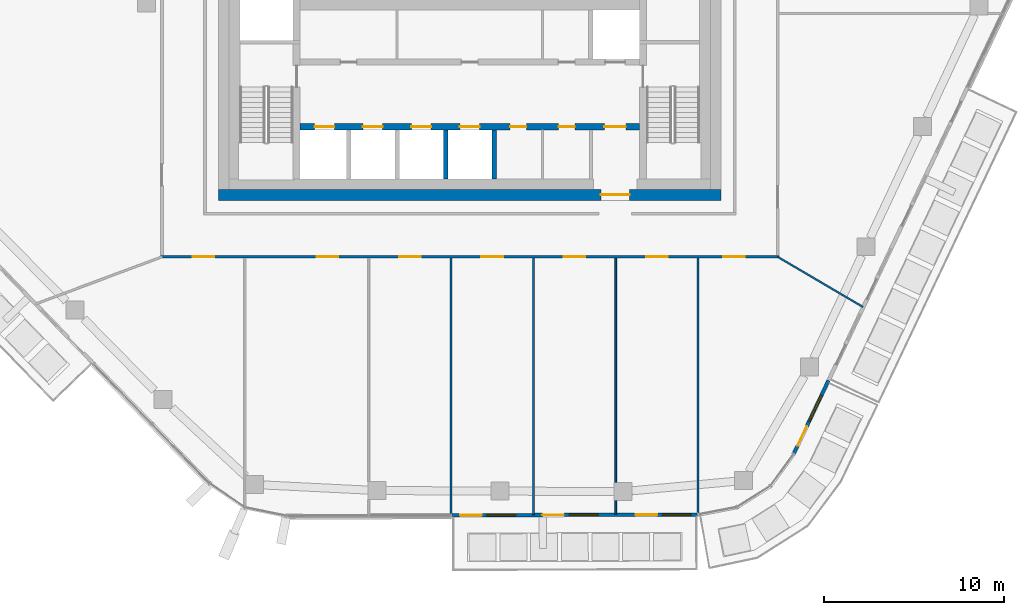
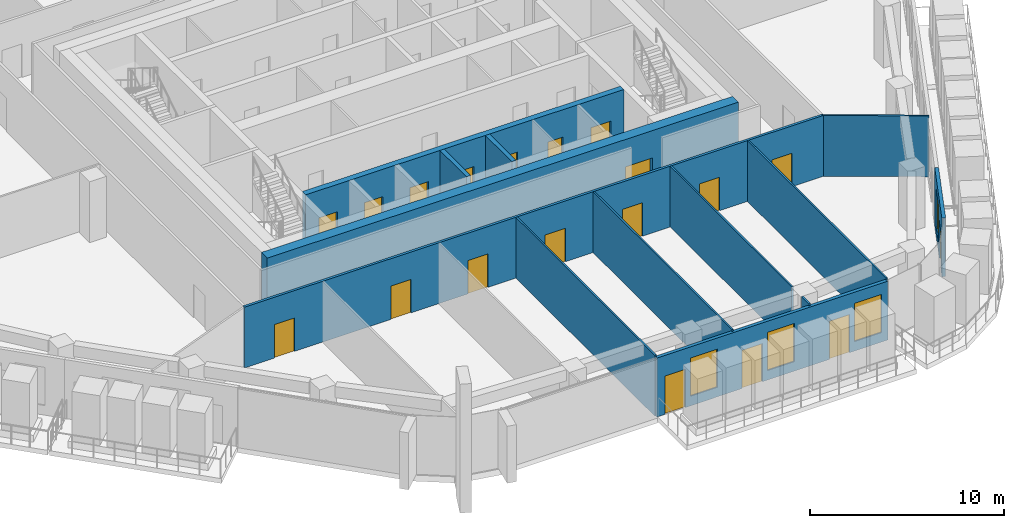
# One storey, part 13 of 24: 19 doors, 13 walls, 4 windows, 23 openings.
"""IFC4 building model written with IfcOpenShell, lengths in metres."""

from ifc_helpers import new_model, si_unit, direction, frame, frame_2d, origin, place, context, subcontext, project, spatial, rectangle, extrude, material, layer, layer_set, type_object, element, fill, save


model = new_model("IFC4")

# Units and contexts
model_context = context("Model", 3, precision=1e-05, world=origin(), true_north=direction((0.0, 1.0)))
body_context = subcontext(model_context, "Body", "Model", "MODEL_VIEW")
ifc_project = project(units=[si_unit("LENGTHUNIT", "METRE"), si_unit("AREAUNIT", "SQUARE_METRE"), si_unit("VOLUMEUNIT", "CUBIC_METRE"), si_unit("PLANEANGLEUNIT", "RADIAN"), si_unit("MASSUNIT", "GRAM", prefix="KILO")], contexts=[model_context])

# Site, building, storey
site_placement = place(None, origin())
site = spatial("IfcSite", under=ifc_project, at=site_placement, CompositionType="ELEMENT")
building_placement = place(site_placement, origin())
building = spatial("IfcBuilding", under=site, at=building_placement, Name="Dongbaek Canopy Tower", CompositionType="ELEMENT")
storey_placement = place(building_placement, frame((0.0, 0.0, 344.60009765625)))
storey = spatial("IfcBuildingStorey", under=building, at=storey_placement, Name="L74", CompositionType="ELEMENT", Elevation=344.60009765625)

# Wall, openings, doors
ifc_material_1 = material(Name="Concrete C60/75", Category="concrete")
ifc_layer_1 = layer(ifc_material_1, 0.35009765625)
ifc_layer_set_1 = layer_set([ifc_layer_1], Name="Core lobby wall 350 Concrete C60/75")
wall_type_1 = type_object("IfcWallType", Name="Core lobby wall 350 Concrete C60/75", PredefinedType="SHEAR", material=ifc_layer_set_1)
wall_1_placement = place(storey_placement, frame((9.449951171875, -6.89990234375, 0.0), z_axis=(0.0, 0.0, 1.0), x_axis=(-1.0, 0.0, 0.0)))
wall_1 = element("IfcWall", 1, at=wall_1_placement, inside=storey, type_object=wall_type_1, Name="Core wall", PredefinedType="SHEAR", context=body_context, shape_type="SweptSolid", body=[
    extrude(rectangle(XDim=18.89990234375, YDim=0.35009765625, at=frame_2d((9.449951171875, 0.0))), origin(), (0.0, 0.0, 1.0), 3.81982421875),
])
opening_1_placement = place(wall_1_placement, frame((17.0, 0.0, 0.0)))
opening_1 = element("IfcOpeningElement", 2, at=opening_1_placement, cuts=wall_1, Name="Opening L74-D028", PredefinedType="OPENING", context=body_context, shape_type="SweptSolid", body=[
    extrude(rectangle(XDim=1.10009765625, YDim=2.10009765625, at=frame_2d((0.550048828125, 1.050048828125))), frame((0.0, 0.18505859375, 0.0), z_axis=(0.0, -1.0, 0.0), x_axis=(1.0, 0.0, 0.0)), (0.0, 0.0, 1.0), 0.3701171875),
])
opening_2_placement = place(wall_1_placement, frame((14.300048828125, 0.0, 0.0)))
opening_2 = element("IfcOpeningElement", 3, at=opening_2_placement, cuts=wall_1, Name="Opening L74-D029", PredefinedType="OPENING", context=body_context, shape_type="SweptSolid", body=[
    extrude(rectangle(XDim=1.10009765625, YDim=2.10009765625, at=frame_2d((0.550048828125, 1.050048828125))), frame((0.0, 0.18505859375, 0.0), z_axis=(0.0, -1.0, 0.0), x_axis=(1.0, 0.0, 0.0)), (0.0, 0.0, 1.0), 0.3701171875),
])
opening_3_placement = place(wall_1_placement, frame((11.60009765625, 0.0, 0.0)))
opening_3 = element("IfcOpeningElement", 4, at=opening_3_placement, cuts=wall_1, Name="Opening L74-D030", PredefinedType="OPENING", context=body_context, shape_type="SweptSolid", body=[
    extrude(rectangle(XDim=1.10009765625, YDim=2.10009765625, at=frame_2d((0.550048828125, 1.050048828125))), frame((0.0, 0.18505859375, 0.0), z_axis=(0.0, -1.0, 0.0), x_axis=(1.0, 0.0, 0.0)), (0.0, 0.0, 1.0), 0.3701171875),
])
opening_4_placement = place(wall_1_placement, frame((8.89990234375, 0.0, 0.0)))
opening_4 = element("IfcOpeningElement", 5, at=opening_4_placement, cuts=wall_1, Name="Opening L74-D031", PredefinedType="OPENING", context=body_context, shape_type="SweptSolid", body=[
    extrude(rectangle(XDim=1.10009765625, YDim=2.10009765625, at=frame_2d((0.550048828125, 1.050048828125))), frame((0.0, 0.18505859375, 0.0), z_axis=(0.0, -1.0, 0.0), x_axis=(1.0, 0.0, 0.0)), (0.0, 0.0, 1.0), 0.3701171875),
])
opening_5_placement = place(wall_1_placement, frame((0.75, 0.0, 0.0)))
opening_5 = element("IfcOpeningElement", 6, at=opening_5_placement, cuts=wall_1, Name="Opening L74-D033", PredefinedType="OPENING", context=body_context, shape_type="SweptSolid", body=[
    extrude(rectangle(XDim=1.199951171875, YDim=2.10009765625, at=frame_2d((0.60009765625, 1.050048828125))), frame((0.0, 0.18505859375, 0.0), z_axis=(0.0, -1.0, 0.0), x_axis=(1.0, 0.0, 0.0)), (0.0, 0.0, 1.0), 0.3701171875),
])
opening_6_placement = place(wall_1_placement, frame((6.300048828125, 0.0, 0.0)))
opening_6 = element("IfcOpeningElement", 7, at=opening_6_placement, cuts=wall_1, Name="Opening L74-D042", PredefinedType="OPENING", context=body_context, shape_type="SweptSolid", body=[
    extrude(rectangle(XDim=0.89990234375, YDim=2.10009765625, at=frame_2d((0.449951171875, 1.050048828125))), frame((0.0, 0.18505859375, 0.0), z_axis=(0.0, -1.0, 0.0), x_axis=(1.0, 0.0, 0.0)), (0.0, 0.0, 1.0), 0.3701171875),
])
opening_7_placement = place(wall_1_placement, frame((3.60009765625, 0.0, 0.0)))
opening_7 = element("IfcOpeningElement", 8, at=opening_7_placement, cuts=wall_1, Name="Opening L74-D043", PredefinedType="OPENING", context=body_context, shape_type="SweptSolid", body=[
    extrude(rectangle(XDim=0.89990234375, YDim=2.10009765625, at=frame_2d((0.449951171875, 1.050048828125))), frame((0.0, 0.18505859375, 0.0), z_axis=(0.0, -1.0, 0.0), x_axis=(1.0, 0.0, 0.0)), (0.0, 0.0, 1.0), 0.3701171875),
])
ifc_material_2 = material(Name="Steel", Category="steel")
door_type_1 = type_object("IfcDoorType", Name="Core room door 900 x 2100", OperationType="SINGLE_SWING_LEFT", PredefinedType="DOOR", material=ifc_material_2)
door_1_placement = place(opening_6_placement, origin())
door_1 = element("IfcDoor", 9, at=door_1_placement, inside=storey, type_object=door_type_1, Name="Door L74-D042", OperationType="SINGLE_SWING_RIGHT", OverallHeight=2.10009765625, OverallWidth=0.89990234375, PredefinedType="DOOR", context=body_context, shape_type="SweptSolid", body=[
    extrude(rectangle(XDim=0.89990234375, YDim=2.10009765625, at=frame_2d((0.449951171875, 1.050048828125))), frame((0.0, 0.02490234375, 0.0), z_axis=(0.0, -1.0, 0.0), x_axis=(1.0, 0.0, 0.0)), (0.0, 0.0, 1.0), 0.050048828125),
])
fill(opening_6, door_1)
door_2_placement = place(opening_7_placement, origin())
door_2 = element("IfcDoor", 10, at=door_2_placement, inside=storey, type_object=door_type_1, Name="Door L74-D043", OperationType="SINGLE_SWING_LEFT", OverallHeight=2.10009765625, OverallWidth=0.89990234375, PredefinedType="DOOR", context=body_context, shape_type="SweptSolid", body=[
    extrude(rectangle(XDim=0.89990234375, YDim=2.10009765625, at=frame_2d((0.449951171875, 1.050048828125))), frame((0.0, 0.02490234375, 0.0), z_axis=(0.0, -1.0, 0.0), x_axis=(1.0, 0.0, 0.0)), (0.0, 0.0, 1.0), 0.050048828125),
])
fill(opening_7, door_2)
ifc_material_3 = material(Name="Steel", Category="steel")
door_type_2 = type_object("IfcDoorType", Name="Fire lobby door 1200 x 2100", OperationType="SINGLE_SWING_LEFT", PredefinedType="DOOR", material=ifc_material_3)
door_3_placement = place(opening_5_placement, origin())
door_3 = element("IfcDoor", 11, at=door_3_placement, inside=storey, type_object=door_type_2, Name="Door L74-D033", OperationType="SINGLE_SWING_LEFT", OverallHeight=2.10009765625, OverallWidth=1.199951171875, PredefinedType="DOOR", context=body_context, shape_type="SweptSolid", body=[
    extrude(rectangle(XDim=1.199951171875, YDim=2.10009765625, at=frame_2d((0.60009765625, 1.050048828125))), frame((0.0, 0.02490234375, 0.0), z_axis=(0.0, -1.0, 0.0), x_axis=(1.0, 0.0, 0.0)), (0.0, 0.0, 1.0), 0.050048828125),
])
fill(opening_5, door_3)
ifc_material_4 = material(Name="Stainless steel", Category="steel")
door_type_3 = type_object("IfcDoorType", Name="Lift landing door 1100 x 2100", OperationType="DOUBLE_DOOR_SLIDING", PredefinedType="DOOR", material=ifc_material_4)
door_4_placement = place(opening_1_placement, origin())
door_4 = element("IfcDoor", 12, at=door_4_placement, inside=storey, type_object=door_type_3, Name="Landing door HR1", OperationType="DOUBLE_DOOR_SLIDING", OverallHeight=2.10009765625, OverallWidth=1.10009765625, PredefinedType="DOOR", context=body_context, shape_type="SweptSolid", body=[
    extrude(rectangle(XDim=1.10009765625, YDim=2.10009765625, at=frame_2d((0.550048828125, 1.050048828125))), frame((0.0, 0.02490234375, 0.0), z_axis=(0.0, -1.0, 0.0), x_axis=(1.0, 0.0, 0.0)), (0.0, 0.0, 1.0), 0.050048828125),
])
fill(opening_1, door_4)
door_5_placement = place(opening_2_placement, origin())
door_5 = element("IfcDoor", 13, at=door_5_placement, inside=storey, type_object=door_type_3, Name="Landing door HR2", OperationType="DOUBLE_DOOR_SLIDING", OverallHeight=2.10009765625, OverallWidth=1.10009765625, PredefinedType="DOOR", context=body_context, shape_type="SweptSolid", body=[
    extrude(rectangle(XDim=1.10009765625, YDim=2.10009765625, at=frame_2d((0.550048828125, 1.050048828125))), frame((0.0, 0.02490234375, 0.0), z_axis=(0.0, -1.0, 0.0), x_axis=(1.0, 0.0, 0.0)), (0.0, 0.0, 1.0), 0.050048828125),
])
fill(opening_2, door_5)
door_6_placement = place(opening_3_placement, origin())
door_6 = element("IfcDoor", 14, at=door_6_placement, inside=storey, type_object=door_type_3, Name="Landing door HR3", OperationType="DOUBLE_DOOR_SLIDING", OverallHeight=2.10009765625, OverallWidth=1.10009765625, PredefinedType="DOOR", context=body_context, shape_type="SweptSolid", body=[
    extrude(rectangle(XDim=1.10009765625, YDim=2.10009765625, at=frame_2d((0.550048828125, 1.050048828125))), frame((0.0, 0.02490234375, 0.0), z_axis=(0.0, -1.0, 0.0), x_axis=(1.0, 0.0, 0.0)), (0.0, 0.0, 1.0), 0.050048828125),
])
fill(opening_3, door_6)
door_7_placement = place(opening_4_placement, origin())
door_7 = element("IfcDoor", 15, at=door_7_placement, inside=storey, type_object=door_type_3, Name="Landing door HR4", OperationType="DOUBLE_DOOR_SLIDING", OverallHeight=2.10009765625, OverallWidth=1.10009765625, PredefinedType="DOOR", context=body_context, shape_type="SweptSolid", body=[
    extrude(rectangle(XDim=1.10009765625, YDim=2.10009765625, at=frame_2d((0.550048828125, 1.050048828125))), frame((0.0, 0.02490234375, 0.0), z_axis=(0.0, -1.0, 0.0), x_axis=(1.0, 0.0, 0.0)), (0.0, 0.0, 1.0), 0.050048828125),
])
fill(opening_4, door_7)

# Wall, opening, door
ifc_material_5 = material(Name="Concrete C80/95", Category="concrete")
ifc_layer_2 = layer(ifc_material_5, 0.60009765625)
ifc_layer_set_2 = layer_set([ifc_layer_2], Name="Core outer wall 600 Concrete C80/95")
wall_type_2 = type_object("IfcWallType", Name="Core outer wall 600 Concrete C80/95", PredefinedType="SHEAR", material=ifc_layer_set_2)
wall_2_placement = place(storey_placement, frame((14.0, -10.699951171875, 0.0), z_axis=(0.0, 0.0, 1.0), x_axis=(-1.0, 0.0, 0.0)))
wall_2 = element("IfcWall", 16, at=wall_2_placement, inside=storey, type_object=wall_type_2, Name="Core wall", PredefinedType="SHEAR", context=body_context, shape_type="SweptSolid", body=[
    extrude(rectangle(XDim=28.0, YDim=0.60009765625, at=frame_2d((14.0, 0.0))), origin(), (0.0, 0.0, 1.0), 3.81982421875),
])
opening_8_placement = place(wall_2_placement, frame((5.10009765625, 0.0, 0.0)))
opening_8 = element("IfcOpeningElement", 17, at=opening_8_placement, cuts=wall_2, Name="Opening L74-D032", PredefinedType="OPENING", context=body_context, shape_type="SweptSolid", body=[
    extrude(rectangle(XDim=1.60009765625, YDim=2.10009765625, at=frame_2d((0.800048828125, 1.050048828125))), frame((0.0, 0.31005859375, 0.0), z_axis=(0.0, -1.0, 0.0), x_axis=(1.0, 0.0, 0.0)), (0.0, 0.0, 1.0), 0.6201171875),
])
ifc_material_6 = material(Name="Steel", Category="steel")
door_type_4 = type_object("IfcDoorType", Name="Core exit door 1600 x 2100", OperationType="DOUBLE_DOOR_SINGLE_SWING", PredefinedType="DOOR", material=ifc_material_6)
door_8_placement = place(opening_8_placement, origin())
door_8 = element("IfcDoor", 18, at=door_8_placement, inside=storey, type_object=door_type_4, Name="Core exit door", OperationType="DOUBLE_DOOR_SINGLE_SWING", OverallHeight=2.10009765625, OverallWidth=1.60009765625, PredefinedType="DOOR", context=body_context, shape_type="SweptSolid", body=[
    extrude(rectangle(XDim=1.60009765625, YDim=2.10009765625, at=frame_2d((0.800048828125, 1.050048828125))), frame((0.0, 0.02490234375, 0.0), z_axis=(0.0, -1.0, 0.0), x_axis=(1.0, 0.0, 0.0)), (0.0, 0.0, 1.0), 0.050048828125),
])
fill(opening_8, door_8)

# Wall, openings, doors
ifc_material_7 = material(Name="Gypsum board partition, steel stud, 2 x 15 mm fire board", Category="steel")
ifc_layer_3 = layer(ifc_material_7, 0.14990234375)
ifc_layer_set_3 = layer_set([ifc_layer_3], Name="Fire-rated partition 150 gypsum board")
wall_type_3 = type_object("IfcWallType", Name="Fire-rated partition 150 gypsum board", PredefinedType="PARTITIONING", material=ifc_layer_set_3)
wall_3_placement = place(storey_placement, frame((17.22509765625, -14.14990234375, 0.0), z_axis=(0.0, 0.0, 1.0), x_axis=(-1.0, 0.0, 0.0)))
wall_3 = element("IfcWall", 19, at=wall_3_placement, inside=storey, type_object=wall_type_3, Name="Corridor partition", PredefinedType="PARTITIONING", context=body_context, shape_type="SweptSolid", body=[
    extrude(rectangle(XDim=34.4501953125, YDim=0.14990234375, at=frame_2d((17.22509765625, 0.0))), origin(), (0.0, 0.0, 1.0), 3.81982421875),
])
opening_9_placement = place(wall_3_placement, frame((31.46435546875, 0.0, 0.0)))
opening_9 = element("IfcOpeningElement", 20, at=opening_9_placement, cuts=wall_3, Name="Opening L74-D002", PredefinedType="OPENING", context=body_context, shape_type="SweptSolid", body=[
    extrude(rectangle(XDim=1.199951171875, YDim=2.10009765625, at=frame_2d((0.60009765625, 1.050048828125))), frame((0.0, 0.0849609375, 0.0), z_axis=(0.0, -1.0, 0.0), x_axis=(1.0, 0.0, 0.0)), (0.0, 0.0, 1.0), 0.169921875),
])
opening_10_placement = place(wall_3_placement, frame((24.54638671875, 0.0, 0.0)))
opening_10 = element("IfcOpeningElement", 21, at=opening_10_placement, cuts=wall_3, Name="Opening L74-D003", PredefinedType="OPENING", context=body_context, shape_type="SweptSolid", body=[
    extrude(rectangle(XDim=1.199951171875, YDim=2.10009765625, at=frame_2d((0.60009765625, 1.050048828125))), frame((0.0, 0.0849609375, 0.0), z_axis=(0.0, -1.0, 0.0), x_axis=(1.0, 0.0, 0.0)), (0.0, 0.0, 1.0), 0.169921875),
])
opening_11_placement = place(wall_3_placement, frame((19.962158203125, 0.0, 0.0)))
opening_11 = element("IfcOpeningElement", 22, at=opening_11_placement, cuts=wall_3, Name="Opening L74-D004", PredefinedType="OPENING", context=body_context, shape_type="SweptSolid", body=[
    extrude(rectangle(XDim=1.199951171875, YDim=2.10009765625, at=frame_2d((0.60009765625, 1.050048828125))), frame((0.0, 0.0849609375, 0.0), z_axis=(0.0, -1.0, 0.0), x_axis=(1.0, 0.0, 0.0)), (0.0, 0.0, 1.0), 0.169921875),
])
opening_12_placement = place(wall_3_placement, frame((15.37451171875, 0.0, 0.0)))
opening_12 = element("IfcOpeningElement", 23, at=opening_12_placement, cuts=wall_3, Name="Opening L74-D005", PredefinedType="OPENING", context=body_context, shape_type="SweptSolid", body=[
    extrude(rectangle(XDim=1.199951171875, YDim=2.10009765625, at=frame_2d((0.60009765625, 1.050048828125))), frame((0.0, 0.0849609375, 0.0), z_axis=(0.0, -1.0, 0.0), x_axis=(1.0, 0.0, 0.0)), (0.0, 0.0, 1.0), 0.169921875),
])
opening_13_placement = place(wall_3_placement, frame((10.788330078125, 0.0, 0.0)))
opening_13 = element("IfcOpeningElement", 24, at=opening_13_placement, cuts=wall_3, Name="Opening L74-D006", PredefinedType="OPENING", context=body_context, shape_type="SweptSolid", body=[
    extrude(rectangle(XDim=1.199951171875, YDim=2.10009765625, at=frame_2d((0.60009765625, 1.050048828125))), frame((0.0, 0.0849609375, 0.0), z_axis=(0.0, -1.0, 0.0), x_axis=(1.0, 0.0, 0.0)), (0.0, 0.0, 1.0), 0.169921875),
])
opening_14_placement = place(wall_3_placement, frame((6.202392578125, 0.0, 0.0)))
opening_14 = element("IfcOpeningElement", 25, at=opening_14_placement, cuts=wall_3, Name="Opening L74-D007", PredefinedType="OPENING", context=body_context, shape_type="SweptSolid", body=[
    extrude(rectangle(XDim=1.199951171875, YDim=2.10009765625, at=frame_2d((0.60009765625, 1.050048828125))), frame((0.0, 0.0849609375, 0.0), z_axis=(0.0, -1.0, 0.0), x_axis=(1.0, 0.0, 0.0)), (0.0, 0.0, 1.0), 0.169921875),
])
opening_15_placement = place(wall_3_placement, frame((1.89697265625, 0.0, 0.0)))
opening_15 = element("IfcOpeningElement", 26, at=opening_15_placement, cuts=wall_3, Name="Opening L74-D008", PredefinedType="OPENING", context=body_context, shape_type="SweptSolid", body=[
    extrude(rectangle(XDim=1.199951171875, YDim=2.10009765625, at=frame_2d((0.60009765625, 1.050048828125))), frame((0.0, 0.0849609375, 0.0), z_axis=(0.0, -1.0, 0.0), x_axis=(1.0, 0.0, 0.0)), (0.0, 0.0, 1.0), 0.169921875),
])
ifc_material_8 = material(Name="Timber veneered door leaf", Category="wood")
door_type_5 = type_object("IfcDoorType", Name="Room door 1200 x 2100", OperationType="SINGLE_SWING_LEFT", PredefinedType="DOOR", material=ifc_material_8)
door_9_placement = place(opening_9_placement, origin())
door_9 = element("IfcDoor", 27, at=door_9_placement, inside=storey, type_object=door_type_5, Name="Door L74-D002", OperationType="SINGLE_SWING_LEFT", OverallHeight=2.10009765625, OverallWidth=1.199951171875, PredefinedType="DOOR", context=body_context, shape_type="SweptSolid", body=[
    extrude(rectangle(XDim=1.199951171875, YDim=2.10009765625, at=frame_2d((0.60009765625, 1.050048828125))), frame((0.0, 0.02490234375, 0.0), z_axis=(0.0, -1.0, 0.0), x_axis=(1.0, 0.0, 0.0)), (0.0, 0.0, 1.0), 0.050048828125),
])
fill(opening_9, door_9)
door_10_placement = place(opening_10_placement, origin())
door_10 = element("IfcDoor", 28, at=door_10_placement, inside=storey, type_object=door_type_5, Name="Door L74-D003", OperationType="SINGLE_SWING_RIGHT", OverallHeight=2.10009765625, OverallWidth=1.199951171875, PredefinedType="DOOR", context=body_context, shape_type="SweptSolid", body=[
    extrude(rectangle(XDim=1.199951171875, YDim=2.10009765625, at=frame_2d((0.60009765625, 1.050048828125))), frame((0.0, 0.02490234375, 0.0), z_axis=(0.0, -1.0, 0.0), x_axis=(1.0, 0.0, 0.0)), (0.0, 0.0, 1.0), 0.050048828125),
])
fill(opening_10, door_10)
door_11_placement = place(opening_11_placement, origin())
door_11 = element("IfcDoor", 29, at=door_11_placement, inside=storey, type_object=door_type_5, Name="Door L74-D004", OperationType="SINGLE_SWING_LEFT", OverallHeight=2.10009765625, OverallWidth=1.199951171875, PredefinedType="DOOR", context=body_context, shape_type="SweptSolid", body=[
    extrude(rectangle(XDim=1.199951171875, YDim=2.10009765625, at=frame_2d((0.60009765625, 1.050048828125))), frame((0.0, 0.02490234375, 0.0), z_axis=(0.0, -1.0, 0.0), x_axis=(1.0, 0.0, 0.0)), (0.0, 0.0, 1.0), 0.050048828125),
])
fill(opening_11, door_11)
door_12_placement = place(opening_12_placement, origin())
door_12 = element("IfcDoor", 30, at=door_12_placement, inside=storey, type_object=door_type_5, Name="Door L74-D005", OperationType="SINGLE_SWING_RIGHT", OverallHeight=2.10009765625, OverallWidth=1.199951171875, PredefinedType="DOOR", context=body_context, shape_type="SweptSolid", body=[
    extrude(rectangle(XDim=1.199951171875, YDim=2.10009765625, at=frame_2d((0.60009765625, 1.050048828125))), frame((0.0, 0.02490234375, 0.0), z_axis=(0.0, -1.0, 0.0), x_axis=(1.0, 0.0, 0.0)), (0.0, 0.0, 1.0), 0.050048828125),
])
fill(opening_12, door_12)
door_13_placement = place(opening_13_placement, origin())
door_13 = element("IfcDoor", 31, at=door_13_placement, inside=storey, type_object=door_type_5, Name="Door L74-D006", OperationType="SINGLE_SWING_LEFT", OverallHeight=2.10009765625, OverallWidth=1.199951171875, PredefinedType="DOOR", context=body_context, shape_type="SweptSolid", body=[
    extrude(rectangle(XDim=1.199951171875, YDim=2.10009765625, at=frame_2d((0.60009765625, 1.050048828125))), frame((0.0, 0.02490234375, 0.0), z_axis=(0.0, -1.0, 0.0), x_axis=(1.0, 0.0, 0.0)), (0.0, 0.0, 1.0), 0.050048828125),
])
fill(opening_13, door_13)
door_14_placement = place(opening_14_placement, origin())
door_14 = element("IfcDoor", 32, at=door_14_placement, inside=storey, type_object=door_type_5, Name="Door L74-D007", OperationType="SINGLE_SWING_RIGHT", OverallHeight=2.10009765625, OverallWidth=1.199951171875, PredefinedType="DOOR", context=body_context, shape_type="SweptSolid", body=[
    extrude(rectangle(XDim=1.199951171875, YDim=2.10009765625, at=frame_2d((0.60009765625, 1.050048828125))), frame((0.0, 0.02490234375, 0.0), z_axis=(0.0, -1.0, 0.0), x_axis=(1.0, 0.0, 0.0)), (0.0, 0.0, 1.0), 0.050048828125),
])
fill(opening_14, door_14)
door_15_placement = place(opening_15_placement, origin())
door_15 = element("IfcDoor", 33, at=door_15_placement, inside=storey, type_object=door_type_5, Name="Door L74-D008", OperationType="SINGLE_SWING_LEFT", OverallHeight=2.10009765625, OverallWidth=1.199951171875, PredefinedType="DOOR", context=body_context, shape_type="SweptSolid", body=[
    extrude(rectangle(XDim=1.199951171875, YDim=2.10009765625, at=frame_2d((0.60009765625, 1.050048828125))), frame((0.0, 0.02490234375, 0.0), z_axis=(0.0, -1.0, 0.0), x_axis=(1.0, 0.0, 0.0)), (0.0, 0.0, 1.0), 0.050048828125),
])
fill(opening_15, door_15)

# Walls
ifc_material_9 = material(Name="Concrete C40/50", Category="concrete")
ifc_layer_4 = layer(ifc_material_9, 0.25)
ifc_layer_set_4 = layer_set([ifc_layer_4], Name="Lift shaft wall 250 Concrete C40/50")
wall_type_4 = type_object("IfcWallType", Name="Lift shaft wall 250 Concrete C40/50", PredefinedType="SOLIDWALL", material=ifc_layer_set_4)
for number, where, z_axis, x_axis, name in (
    (34, (1.35009765625, -9.800048828125, 0.0), (0.0, 0.0, 1.0), (0.0, 1.0, 0.0), "Lift shaft wall"),
    (35, (-1.35009765625, -9.800048828125, 0.0), (0.0, 0.0, 1.0), (0.0, 1.0, 0.0), "Lift shaft wall"),
):
    element("IfcWall", number, at=place(storey_placement, frame(where, z_axis=z_axis, x_axis=x_axis)), inside=storey, type_object=wall_type_4, Name=name, PredefinedType="SOLIDWALL", context=body_context, shape_type="SweptSolid", body=[
        extrude(rectangle(XDim=2.72509765625, YDim=0.25, at=frame_2d((1.362548828125, 0.0))), origin(), (0.0, 0.0, 1.0), 3.81982421875),
    ])
ifc_material_10 = material(Name="Gypsum board partition, steel stud, 2 x 12.5 mm board", Category="steel")
ifc_layer_5 = layer(ifc_material_10, 0.10009765625)
ifc_layer_set_5 = layer_set([ifc_layer_5], Name="Partition 100 gypsum board")
wall_type_5 = type_object("IfcWallType", Name="Partition 100 gypsum board", PredefinedType="PARTITIONING", material=ifc_layer_set_5)
wall_4_placement = place(storey_placement, frame((12.716064453125, -28.483154296875, 0.0), z_axis=(0.0, 0.0, 1.0), x_axis=(0.0, 1.0, 0.0)))
element("IfcWall", 36, at=wall_4_placement, inside=storey, type_object=wall_type_5, Name="Partition", PredefinedType="PARTITIONING", context=body_context, shape_type="SweptSolid", body=[
    extrude(rectangle(XDim=14.258056640625, YDim=0.10009765625, at=frame_2d((7.12890625, 0.0))), origin(), (0.0, 0.0, 1.0), 3.81982421875),
])
wall_5_placement = place(storey_placement, frame((8.1298828125, -28.49755859375, 0.0), z_axis=(0.0, 0.0, 1.0), x_axis=(0.0, 1.0, 0.0)))
element("IfcWall", 37, at=wall_5_placement, inside=storey, type_object=wall_type_5, Name="Partition", PredefinedType="PARTITIONING", context=body_context, shape_type="SweptSolid", body=[
    extrude(rectangle(XDim=0.7705078125, YDim=0.10009765625, at=frame_2d((0.38525390625, 0.0))), origin(), (0.0, 0.0, 1.0), 3.81982421875),
])
wall_6_placement = place(storey_placement, frame((8.1298828125, -26.72705078125, 0.0), z_axis=(0.0, 0.0, 1.0), x_axis=(0.0, 1.0, 0.0)))
element("IfcWall", 38, at=wall_6_placement, inside=storey, type_object=wall_type_5, Name="Partition", PredefinedType="PARTITIONING", context=body_context, shape_type="SweptSolid", body=[
    extrude(rectangle(XDim=12.501953125, YDim=0.10009765625, at=frame_2d((6.2509765625, 0.0))), origin(), (0.0, 0.0, 1.0), 3.81982421875),
])
wall_7_placement = place(storey_placement, frame((3.5439453125, -28.51171875, 0.0), z_axis=(0.0, 0.0, 1.0), x_axis=(0.0, 1.0, 0.0)))
element("IfcWall", 39, at=wall_7_placement, inside=storey, type_object=wall_type_5, Name="Partition", PredefinedType="PARTITIONING", context=body_context, shape_type="SweptSolid", body=[
    extrude(rectangle(XDim=14.28662109375, YDim=0.10009765625, at=frame_2d((7.143310546875, 0.0))), origin(), (0.0, 0.0, 1.0), 3.81982421875),
])
wall_8_placement = place(storey_placement, frame((-1.04296875, -28.525634765625, 0.0), z_axis=(0.0, 0.0, 1.0), x_axis=(0.0, 1.0, 0.0)))
element("IfcWall", 40, at=wall_8_placement, inside=storey, type_object=wall_type_5, Name="Partition", PredefinedType="PARTITIONING", context=body_context, shape_type="SweptSolid", body=[
    extrude(rectangle(XDim=14.300537109375, YDim=0.10009765625, at=frame_2d((7.150390625, 0.0))), origin(), (0.0, 0.0, 1.0), 3.81982421875),
])
wall_9_placement = place(storey_placement, frame((17.14990234375, -14.150146484375, 0.0), z_axis=(0.0, 0.0, 1.0), x_axis=(0.862152840624, -0.506648279781, 0.0)))
element("IfcWall", 41, at=wall_9_placement, inside=storey, type_object=wall_type_5, Name="Partition", PredefinedType="PARTITIONING", context=body_context, shape_type="SweptSolid", body=[
    extrude(rectangle(XDim=5.509765625, YDim=0.10009765625, at=frame_2d((2.7548828125, 0.0))), origin(), (0.0, 0.0, 1.0), 3.81982421875),
])

# Wall, openings, doors, windows
ifc_material_11 = material(Name="Aluminium window wall", Category="aluminium")
ifc_layer_6 = layer(ifc_material_11, 0.199951171875)
ifc_layer_set_6 = layer_set([ifc_layer_6], Name="Window wall 200")
wall_type_6 = type_object("IfcWallType", Name="Window wall 200", PredefinedType="SOLIDWALL", material=ifc_layer_set_6)
wall_10_placement = place(storey_placement, frame((-1.04248046875, -28.545654296875, 0.0), z_axis=(0.0, 0.0, 1.0), x_axis=(0.999995287953, 0.003069865224, 0.0)))
wall_10 = element("IfcWall", 42, at=wall_10_placement, inside=storey, type_object=wall_type_6, Name="Window wall L74 4", PredefinedType="SOLIDWALL", context=body_context, shape_type="SweptSolid", body=[
    extrude(rectangle(XDim=13.75830078125, YDim=0.199951171875, at=frame_2d((6.879150390625, 0.0))), origin(), (0.0, 0.0, 1.0), 3.699951171875),
])
opening_16_placement = place(wall_10_placement, frame((2.0, 0.0, 0.60009765625)))
opening_16 = element("IfcOpeningElement", 43, at=opening_16_placement, cuts=wall_10, Name="Opening W1", PredefinedType="OPENING", context=body_context, shape_type="SweptSolid", body=[
    extrude(rectangle(XDim=1.60009765625, YDim=2.39990234375, at=frame_2d((0.800048828125, 1.199951171875))), frame((0.0, 0.10986328125, 0.0), z_axis=(0.0, -1.0, 0.0), x_axis=(1.0, 0.0, 0.0)), (0.0, 0.0, 1.0), 0.219970703125),
])
opening_17_placement = place(wall_10_placement, frame((0.5, 0.0, 0.0)))
opening_17 = element("IfcOpeningElement", 44, at=opening_17_placement, cuts=wall_10, Name="Opening L74-B10", PredefinedType="OPENING", context=body_context, shape_type="SweptSolid", body=[
    extrude(rectangle(XDim=1.199951171875, YDim=2.39990234375, at=frame_2d((0.60009765625, 1.199951171875))), frame((0.0, 0.10986328125, 0.0), z_axis=(0.0, -1.0, 0.0), x_axis=(1.0, 0.0, 0.0)), (0.0, 0.0, 1.0), 0.219970703125),
])
opening_18_placement = place(wall_10_placement, frame((6.586181640625, 0.0, 0.60009765625)))
opening_18 = element("IfcOpeningElement", 45, at=opening_18_placement, cuts=wall_10, Name="Opening W1", PredefinedType="OPENING", context=body_context, shape_type="SweptSolid", body=[
    extrude(rectangle(XDim=1.60009765625, YDim=2.39990234375, at=frame_2d((0.800048828125, 1.199951171875))), frame((0.0, 0.10986328125, 0.0), z_axis=(0.0, -1.0, 0.0), x_axis=(1.0, 0.0, 0.0)), (0.0, 0.0, 1.0), 0.219970703125),
])
opening_19_placement = place(wall_10_placement, frame((5.086181640625, 0.0, 0.0)))
opening_19 = element("IfcOpeningElement", 46, at=opening_19_placement, cuts=wall_10, Name="Opening L74-B11", PredefinedType="OPENING", context=body_context, shape_type="SweptSolid", body=[
    extrude(rectangle(XDim=1.199951171875, YDim=2.39990234375, at=frame_2d((0.60009765625, 1.199951171875))), frame((0.0, 0.10986328125, 0.0), z_axis=(0.0, -1.0, 0.0), x_axis=(1.0, 0.0, 0.0)), (0.0, 0.0, 1.0), 0.219970703125),
])
opening_20_placement = place(wall_10_placement, frame((11.772216796875, 0.0, 0.60009765625)))
opening_20 = element("IfcOpeningElement", 47, at=opening_20_placement, cuts=wall_10, Name="Opening W1", PredefinedType="OPENING", context=body_context, shape_type="SweptSolid", body=[
    extrude(rectangle(XDim=1.60009765625, YDim=2.39990234375, at=frame_2d((0.800048828125, 1.199951171875))), frame((0.0, 0.10986328125, 0.0), z_axis=(0.0, -1.0, 0.0), x_axis=(1.0, 0.0, 0.0)), (0.0, 0.0, 1.0), 0.219970703125),
])
opening_21_placement = place(wall_10_placement, frame((10.272216796875, 0.0, 0.0)))
opening_21 = element("IfcOpeningElement", 48, at=opening_21_placement, cuts=wall_10, Name="Opening L74-B12", PredefinedType="OPENING", context=body_context, shape_type="SweptSolid", body=[
    extrude(rectangle(XDim=1.199951171875, YDim=2.39990234375, at=frame_2d((0.60009765625, 1.199951171875))), frame((0.0, 0.10986328125, 0.0), z_axis=(0.0, -1.0, 0.0), x_axis=(1.0, 0.0, 0.0)), (0.0, 0.0, 1.0), 0.219970703125),
])
ifc_material_12 = material(Name="Clear glazing in aluminium frame", Category="aluminium")
door_type_6 = type_object("IfcDoorType", Name="Balcony door BD1 1200 x 2400", OperationType="SLIDING_TO_LEFT", PredefinedType="DOOR", material=ifc_material_12)
door_16_placement = place(opening_17_placement, origin())
door_16 = element("IfcDoor", 49, at=door_16_placement, inside=storey, type_object=door_type_6, Name="Balcony door L74-B10", OperationType="SLIDING_TO_LEFT", OverallHeight=2.39990234375, OverallWidth=1.199951171875, PredefinedType="DOOR", context=body_context, shape_type="SweptSolid", body=[
    extrude(rectangle(XDim=1.199951171875, YDim=2.39990234375, at=frame_2d((0.60009765625, 1.199951171875))), frame((0.0, 0.02490234375, 0.0), z_axis=(0.0, -1.0, 0.0), x_axis=(1.0, 0.0, 0.0)), (0.0, 0.0, 1.0), 0.050048828125),
])
fill(opening_17, door_16)
door_17_placement = place(opening_19_placement, origin())
door_17 = element("IfcDoor", 50, at=door_17_placement, inside=storey, type_object=door_type_6, Name="Balcony door L74-B11", OperationType="SLIDING_TO_LEFT", OverallHeight=2.39990234375, OverallWidth=1.199951171875, PredefinedType="DOOR", context=body_context, shape_type="SweptSolid", body=[
    extrude(rectangle(XDim=1.199951171875, YDim=2.39990234375, at=frame_2d((0.60009765625, 1.199951171875))), frame((0.0, 0.02490234375, 0.0), z_axis=(0.0, -1.0, 0.0), x_axis=(1.0, 0.0, 0.0)), (0.0, 0.0, 1.0), 0.050048828125),
])
fill(opening_19, door_17)
door_18_placement = place(opening_21_placement, origin())
door_18 = element("IfcDoor", 51, at=door_18_placement, inside=storey, type_object=door_type_6, Name="Balcony door L74-B12", OperationType="SLIDING_TO_LEFT", OverallHeight=2.39990234375, OverallWidth=1.199951171875, PredefinedType="DOOR", context=body_context, shape_type="SweptSolid", body=[
    extrude(rectangle(XDim=1.199951171875, YDim=2.39990234375, at=frame_2d((0.60009765625, 1.199951171875))), frame((0.0, 0.02490234375, 0.0), z_axis=(0.0, -1.0, 0.0), x_axis=(1.0, 0.0, 0.0)), (0.0, 0.0, 1.0), 0.050048828125),
])
fill(opening_21, door_18)
ifc_material_13 = material(Name="Clear glazing in aluminium frame", Category="aluminium")
window_type = type_object("IfcWindowType", Name="Window W1 1600 x 2400", PartitioningType="SINGLE_PANEL", PredefinedType="WINDOW", material=ifc_material_13)
window_1_placement = place(opening_16_placement, origin())
window_1 = element("IfcWindow", 52, at=window_1_placement, inside=storey, type_object=window_type, Name="Window L74 4.1", OverallHeight=2.39990234375, OverallWidth=1.60009765625, PartitioningType="SINGLE_PANEL", PredefinedType="WINDOW", context=body_context, shape_type="SweptSolid", body=[
    extrude(rectangle(XDim=1.60009765625, YDim=2.39990234375, at=frame_2d((0.800048828125, 1.199951171875))), frame((0.0, 0.030029296875, 0.0), z_axis=(0.0, -1.0, 0.0), x_axis=(1.0, 0.0, 0.0)), (0.0, 0.0, 1.0), 0.06005859375),
])
fill(opening_16, window_1)
window_2_placement = place(opening_18_placement, origin())
window_2 = element("IfcWindow", 53, at=window_2_placement, inside=storey, type_object=window_type, Name="Window L74 4.2", OverallHeight=2.39990234375, OverallWidth=1.60009765625, PartitioningType="SINGLE_PANEL", PredefinedType="WINDOW", context=body_context, shape_type="SweptSolid", body=[
    extrude(rectangle(XDim=1.60009765625, YDim=2.39990234375, at=frame_2d((0.800048828125, 1.199951171875))), frame((0.0, 0.030029296875, 0.0), z_axis=(0.0, -1.0, 0.0), x_axis=(1.0, 0.0, 0.0)), (0.0, 0.0, 1.0), 0.06005859375),
])
fill(opening_18, window_2)
window_3_placement = place(opening_20_placement, origin())
window_3 = element("IfcWindow", 54, at=window_3_placement, inside=storey, type_object=window_type, Name="Window L74 4.3", OverallHeight=2.39990234375, OverallWidth=1.60009765625, PartitioningType="SINGLE_PANEL", PredefinedType="WINDOW", context=body_context, shape_type="SweptSolid", body=[
    extrude(rectangle(XDim=1.60009765625, YDim=2.39990234375, at=frame_2d((0.800048828125, 1.199951171875))), frame((0.0, 0.030029296875, 0.0), z_axis=(0.0, -1.0, 0.0), x_axis=(1.0, 0.0, 0.0)), (0.0, 0.0, 1.0), 0.06005859375),
])
fill(opening_20, window_3)

# Wall, openings, door, window
wall_11_placement = place(storey_placement, frame((18.0419921875, -25.123291015625, 0.0), z_axis=(0.0, 0.0, 1.0), x_axis=(0.428481259611, 0.903550668287, 0.0)))
wall_11 = element("IfcWall", 55, at=wall_11_placement, inside=storey, type_object=wall_type_6, Name="Window wall L74 8", PredefinedType="SOLIDWALL", context=body_context, shape_type="SweptSolid", body=[
    extrude(rectangle(XDim=4.517333984375, YDim=0.199951171875, at=frame_2d((2.2587890625, 0.0))), origin(), (0.0, 0.0, 1.0), 3.699951171875),
])
opening_22_placement = place(wall_11_placement, frame((2.0, 0.0, 0.60009765625)))
opening_22 = element("IfcOpeningElement", 56, at=opening_22_placement, cuts=wall_11, Name="Opening W1", PredefinedType="OPENING", context=body_context, shape_type="SweptSolid", body=[
    extrude(rectangle(XDim=1.60009765625, YDim=2.39990234375, at=frame_2d((0.800048828125, 1.199951171875))), frame((0.0, 0.10986328125, 0.0), z_axis=(0.0, -1.0, 0.0), x_axis=(1.0, 0.0, 0.0)), (0.0, 0.0, 1.0), 0.219970703125),
])
opening_23_placement = place(wall_11_placement, frame((0.5, 0.0, 0.0)))
opening_23 = element("IfcOpeningElement", 57, at=opening_23_placement, cuts=wall_11, Name="Opening L74-B17", PredefinedType="OPENING", context=body_context, shape_type="SweptSolid", body=[
    extrude(rectangle(XDim=1.199951171875, YDim=2.39990234375, at=frame_2d((0.60009765625, 1.199951171875))), frame((0.0, 0.10986328125, 0.0), z_axis=(0.0, -1.0, 0.0), x_axis=(1.0, 0.0, 0.0)), (0.0, 0.0, 1.0), 0.219970703125),
])
door_19_placement = place(opening_23_placement, origin())
door_19 = element("IfcDoor", 58, at=door_19_placement, inside=storey, type_object=door_type_6, Name="Balcony door L74-B17", OperationType="SLIDING_TO_LEFT", OverallHeight=2.39990234375, OverallWidth=1.199951171875, PredefinedType="DOOR", context=body_context, shape_type="SweptSolid", body=[
    extrude(rectangle(XDim=1.199951171875, YDim=2.39990234375, at=frame_2d((0.60009765625, 1.199951171875))), frame((0.0, 0.02490234375, 0.0), z_axis=(0.0, -1.0, 0.0), x_axis=(1.0, 0.0, 0.0)), (0.0, 0.0, 1.0), 0.050048828125),
])
fill(opening_23, door_19)
window_4_placement = place(opening_22_placement, origin())
window_4 = element("IfcWindow", 59, at=window_4_placement, inside=storey, type_object=window_type, Name="Window L74 8.1", OverallHeight=2.39990234375, OverallWidth=1.60009765625, PartitioningType="SINGLE_PANEL", PredefinedType="WINDOW", context=body_context, shape_type="SweptSolid", body=[
    extrude(rectangle(XDim=1.60009765625, YDim=2.39990234375, at=frame_2d((0.800048828125, 1.199951171875))), frame((0.0, 0.030029296875, 0.0), z_axis=(0.0, -1.0, 0.0), x_axis=(1.0, 0.0, 0.0)), (0.0, 0.0, 1.0), 0.06005859375),
])
fill(opening_22, window_4)

save(model, "model.ifc")
